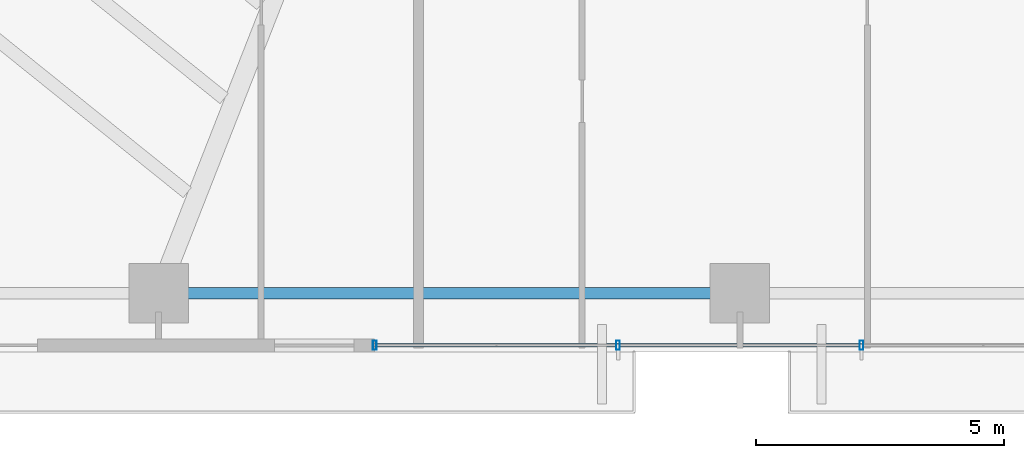
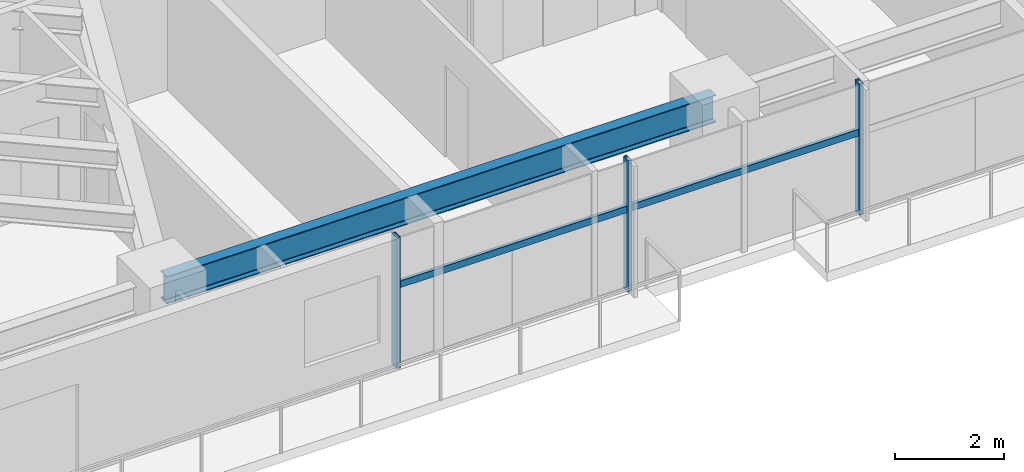
# One storey, part 6 of 25: 5 members, 1 beam, 1 element without a shape of its own.
"""IFC4 building model written with IfcOpenShell, lengths in metres."""

from ifc_helpers import new_model, si_unit, direction, frame, origin, origin_2d, place, context, subcontext, project, spatial, hollow_rectangle, i_section, extrude, source, transform, mapped, material, material_profile, profile_set, type_object, type_shapes, element, aggregate, save


model = new_model("IFC4")

# Units and contexts
model_context = context("Model", 3, precision=1e-05, world=origin(), true_north=direction((0.0, 1.0)))
body_context = subcontext(model_context, "Body", "Model", "MODEL_VIEW")
ifc_project = project(units=[si_unit("LENGTHUNIT", "METRE"), si_unit("AREAUNIT", "SQUARE_METRE"), si_unit("VOLUMEUNIT", "CUBIC_METRE"), si_unit("PLANEANGLEUNIT", "RADIAN"), si_unit("MASSUNIT", "GRAM", prefix="KILO")], contexts=[model_context])

# Site, building, storey
site_placement = place(None, origin())
site = spatial("IfcSite", under=ifc_project, at=site_placement, CompositionType="ELEMENT")
building_placement = place(site_placement, origin())
building = spatial("IfcBuilding", under=site, at=building_placement, Name="Astriad Promenade Condominiums", CompositionType="ELEMENT")
storey_placement = place(building_placement, frame((0.0, 0.0, 45.39990234375)))
storey = spatial("IfcBuildingStorey", under=building, at=storey_placement, Name="L12", CompositionType="ELEMENT", Elevation=45.39990234375)

# Beam
ifc_material_1 = material(Name="Steel ASTM A992 Grade 50", Category="steel")
ifc_material_profile_1 = material_profile(ifc_material_1, i_section(OverallWidth=0.22900390625, OverallDepth=0.612060546875, WebThickness=0.011962890625, FlangeThickness=0.01953125, FilletRadius=0.017822265625, at=origin_2d()), Name="W24X84")
ifc_profile_set_1 = profile_set([ifc_material_profile_1], Name="Steel ASTM A992 Grade 50")
beam_type = type_object("IfcBeamType", Name="STEEL SPANDREL BEAM W24X84", PredefinedType="SPANDREL", material=ifc_profile_set_1)
shared_shape_1 = source(origin(), body_context, "Body", "SweptSolid", [
    extrude(i_section(OverallWidth=0.22900390625, OverallDepth=0.612060546875, WebThickness=0.011962890625, FlangeThickness=0.01953125, FilletRadius=0.017822265625, at=origin_2d()), origin(), (0.0, 0.0, 1.0), 11.6201171875),
])
type_shapes(beam_type, [shared_shape_1])
beam_placement = place(storey_placement, frame((21.139892578125, 3.8798828125, 2.634033203125), z_axis=(1.0, 0.0, 0.0), x_axis=(0.0, 1.0, 0.0)))
element("IfcBeam", 1, at=beam_placement, inside=storey, type_object=beam_type, Name="Perimeter Spandrel Beam SP-S2-L12", PredefinedType="SPANDREL", context=body_context, shape_type="MappedRepresentation", body=[
    mapped(shared_shape_1, transform((0.0, 0.0, 0.0), scale=1.0)),
])

# Curtain wall, members
ifc_material_2 = material(Name="Anodised aluminium Black Dark Glass Unitised", Category="aluminium")
curtain_wall_type = type_object("IfcCurtainWallType", Name="CW-B1-DARK", PredefinedType="USERDEFINED", material=ifc_material_2)
curtain_wall_placement = place(storey_placement, origin())
curtain_wall = element("IfcCurtainWall", 2, at=curtain_wall_placement, inside=storey, type_object=curtain_wall_type, Name="CW-L12-S", ObjectType="UNITISED_CURTAIN_WALL", PredefinedType="USERDEFINED")
ifc_material_3 = material(Name="Anodised aluminium 6063-T6 Black", Category="aluminium")
ifc_material_profile_2 = material_profile(ifc_material_3, hollow_rectangle(XDim=0.074951171875, YDim=0.14990234375, WallThickness=0.004150390625, at=origin_2d()), Name="ALU-TRN-75X150")
ifc_profile_set_2 = profile_set([ifc_material_profile_2], Name="Anodised aluminium 6063-T6 Black")
member_type_1 = type_object("IfcMemberType", Name="TRN-ALU-TRN-75X150", PredefinedType="USERDEFINED", material=ifc_profile_set_2)
shared_shape_2 = source(origin(), body_context, "Body", "SweptSolid", [
    extrude(hollow_rectangle(XDim=0.074951171875, YDim=0.14990234375, WallThickness=0.004150390625, at=origin_2d()), origin(), (0.0, 0.0, 1.0), 4.900146484375),
])
member_1_placement = place(storey_placement, frame((30.35009765625, 2.830078125, 1.822998046875), z_axis=(-1.0, 0.0, 0.0), x_axis=(0.0, -1.0, 0.0)))
member_1 = element("IfcMember", 3, at=member_1_placement, type_object=member_type_1, Name="CW-L12-S-TRN-02-0", ObjectType="TRANSOM", PredefinedType="USERDEFINED", context=body_context, shape_type="MappedRepresentation", body=[
    mapped(shared_shape_2, transform((0.0, 0.0, 0.0), scale=1.0)),
])
shared_shape_3 = source(origin(), body_context, "Body", "SweptSolid", [
    extrude(hollow_rectangle(XDim=0.074951171875, YDim=0.14990234375, WallThickness=0.004150390625, at=origin_2d()), origin(), (0.0, 0.0, 1.0), 4.89990234375),
])
type_shapes(member_type_1, [shared_shape_2, shared_shape_3])
member_2_placement = place(storey_placement, frame((35.25, 2.830078125, 1.822998046875), z_axis=(-1.0, 0.0, 0.0), x_axis=(0.0, -1.0, 0.0)))
member_2 = element("IfcMember", 4, at=member_2_placement, type_object=member_type_1, Name="CW-L12-S-TRN-01-0", ObjectType="TRANSOM", PredefinedType="USERDEFINED", context=body_context, shape_type="MappedRepresentation", body=[
    mapped(shared_shape_3, transform((0.0, 0.0, 0.0), scale=1.0)),
])
ifc_material_profile_3 = material_profile(ifc_material_3, hollow_rectangle(XDim=0.074951171875, YDim=0.18505859375, WallThickness=0.00439453125, at=origin_2d()), Name="ALU-MUL-75X185")
ifc_profile_set_3 = profile_set([ifc_material_profile_3], Name="Anodised aluminium 6063-T6 Black")
member_type_2 = type_object("IfcMemberType", Name="MUL-ALU-MUL-75X185", PredefinedType="MULLION", material=ifc_profile_set_3)
shared_shape_4 = source(origin(), body_context, "Body", "SweptSolid", [
    extrude(hollow_rectangle(XDim=0.074951171875, YDim=0.18505859375, WallThickness=0.00439453125, at=origin_2d()), origin(), (0.0, 0.0, 1.0), 2.940185546875),
])
type_shapes(member_type_2, [shared_shape_4])
member_3_placement = place(storey_placement, frame((35.25, 2.830078125, 0.0), z_axis=(0.0, 0.0, 1.0), x_axis=(1.0, 0.0, 0.0)))
member_3 = element("IfcMember", 5, at=member_3_placement, type_object=member_type_2, Name="CW-L12-S-MUL-01", PredefinedType="MULLION", context=body_context, shape_type="MappedRepresentation", body=[
    mapped(shared_shape_4, transform((0.0, 0.0, 0.0), scale=1.0)),
])
member_4_placement = place(storey_placement, frame((30.35009765625, 2.830078125, 0.0), z_axis=(0.0, 0.0, 1.0), x_axis=(1.0, 0.0, 0.0)))
member_4 = element("IfcMember", 6, at=member_4_placement, type_object=member_type_2, Name="CW-L12-S-MUL-02", PredefinedType="MULLION", context=body_context, shape_type="MappedRepresentation", body=[
    mapped(shared_shape_4, transform((0.0, 0.0, 0.0), scale=1.0)),
])
member_5_placement = place(storey_placement, frame((25.449951171875, 2.830078125, 0.0), z_axis=(0.0, 0.0, 1.0), x_axis=(1.0, 0.0, 0.0)))
member_5 = element("IfcMember", 7, at=member_5_placement, type_object=member_type_2, Name="CW-L12-S-MUL-03", PredefinedType="MULLION", context=body_context, shape_type="MappedRepresentation", body=[
    mapped(shared_shape_4, transform((0.0, 0.0, 0.0), scale=1.0)),
])
aggregate(curtain_wall, [member_3, member_4, member_5, member_2, member_1])

save(model, "model.ifc")
